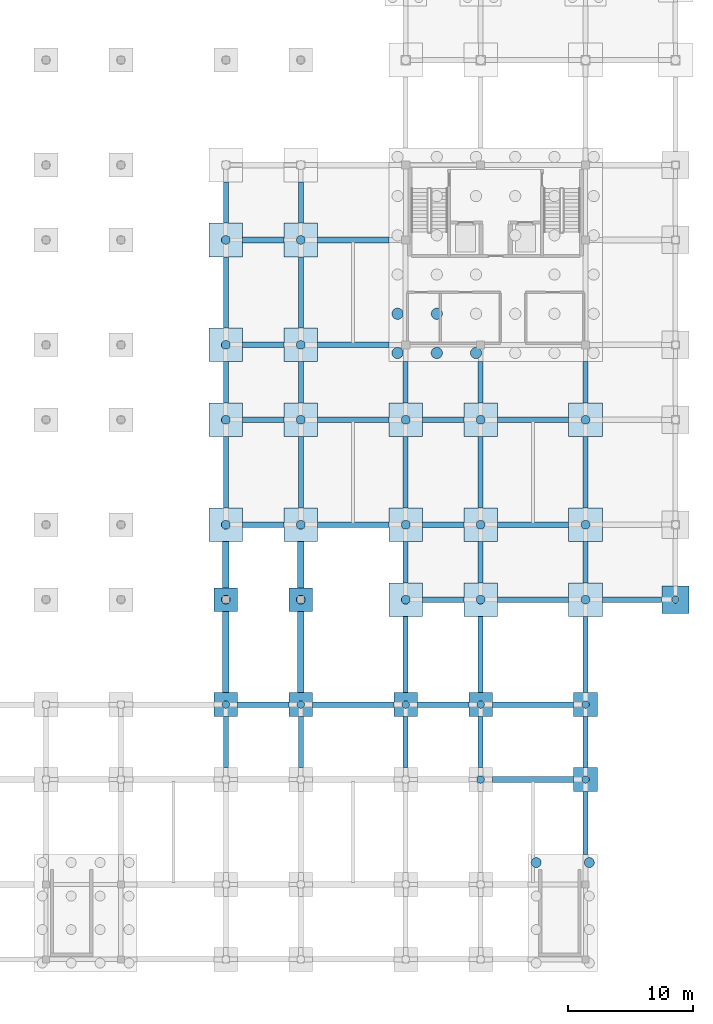
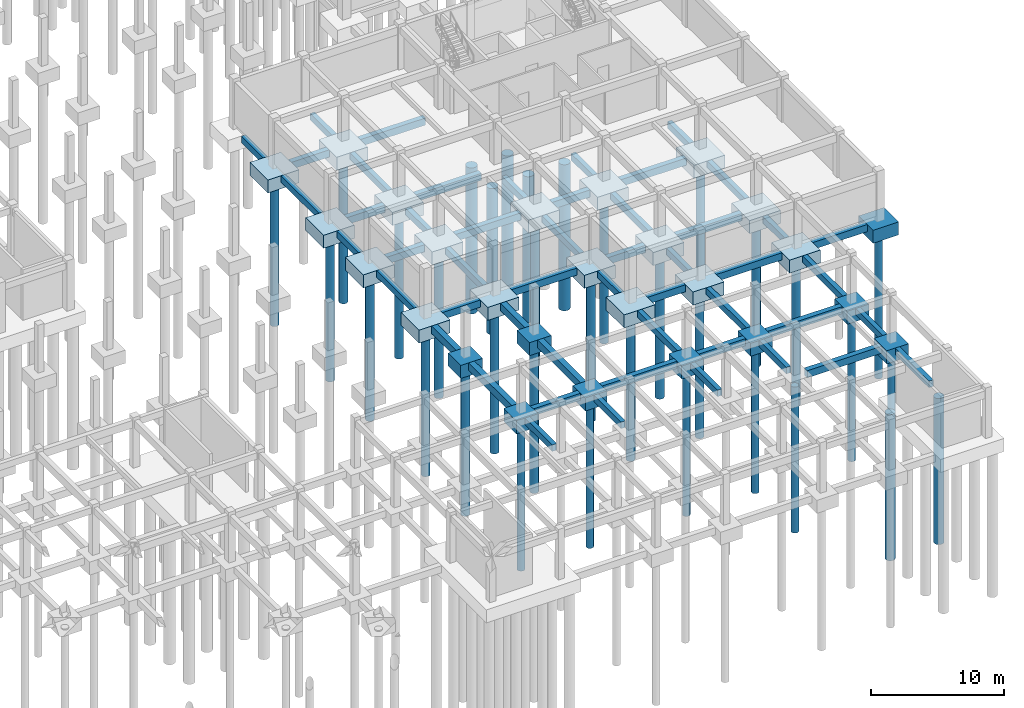
# One storey, part 11 of 40: 74 footings, 34 piles.
"""IFC4 building model written with IfcOpenShell, lengths in metres."""

from ifc_helpers import new_model, si_unit, direction, frame, origin, origin_2d, place, context, subcontext, project, spatial, rectangle, circle, extrude, material, material_profile, profile_set, type_object, element, save


model = new_model("IFC4")

# Units and contexts
model_context = context("Model", 3, precision=1e-05, world=origin(), true_north=direction((0.0, 1.0)))
body_context = subcontext(model_context, "Body", "Model", "MODEL_VIEW")
ifc_project = project(units=[si_unit("LENGTHUNIT", "METRE"), si_unit("AREAUNIT", "SQUARE_METRE"), si_unit("VOLUMEUNIT", "CUBIC_METRE"), si_unit("PLANEANGLEUNIT", "RADIAN"), si_unit("MASSUNIT", "GRAM", prefix="KILO"), si_unit("THERMODYNAMICTEMPERATUREUNIT", "KELVIN")], contexts=[model_context])

# Site, building, storey
site_placement = place(None, origin())
site = spatial("IfcSite", under=ifc_project, at=site_placement, CompositionType="ELEMENT")
building_placement = place(site_placement, origin())
building = spatial("IfcBuilding", under=site, at=building_placement, Name="Thalorik Housing Commons", CompositionType="ELEMENT")
storey_placement = place(building_placement, frame((0.0, 0.0, -4.199951171875)))
storey = spatial("IfcBuildingStorey", under=building, at=storey_placement, Name="B1", CompositionType="ELEMENT", Elevation=-4.199951171875)

# Footings
ifc_material = material(Name="Concrete C40/50", Category="concrete")
footing_type_1 = type_object("IfcFootingType", Name="STR-CAP-1900x1900", PredefinedType="PILE_CAP", material=ifc_material)
for number, where, z_axis, x_axis, name in (
    (1, (166.800048828125, 22.800048828125, -1.64990234375), (0.0, 0.0, 1.0), (1.0, 0.0, 0.0), "B1 Pile Cap 57"),
    (2, (138.0, 28.800048828125, -1.64990234375), (0.0, 0.0, 1.0), (1.0, 0.0, 0.0), "B1 Pile Cap 74"),
    (3, (144.0, 28.800048828125, -1.64990234375), (0.0, 0.0, 1.0), (1.0, 0.0, 0.0), "B1 Pile Cap 75"),
    (4, (152.39990234375, 28.800048828125, -1.64990234375), (0.0, 0.0, 1.0), (1.0, 0.0, 0.0), "B1 Pile Cap 76"),
    (5, (158.39990234375, 28.800048828125, -1.64990234375), (0.0, 0.0, 1.0), (1.0, 0.0, 0.0), "B1 Pile Cap 77"),
    (6, (166.800048828125, 28.800048828125, -1.64990234375), (0.0, 0.0, 1.0), (1.0, 0.0, 0.0), "B1 Pile Cap 78"),
    (7, (138.0, 37.199951171875, -1.64990234375), (0.0, 0.0, 1.0), (1.0, 0.0, 0.0), "B1 Plaza Pile Cap 53"),
    (8, (144.0, 37.199951171875, -1.64990234375), (0.0, 0.0, 1.0), (1.0, 0.0, 0.0), "B1 Plaza Pile Cap 58"),
):
    element("IfcFooting", number, at=place(storey_placement, frame(where, z_axis=z_axis, x_axis=x_axis)), inside=storey, type_object=footing_type_1, Name=name, PredefinedType="PILE_CAP", context=body_context, shape_type="SweptSolid", body=[
        extrude(rectangle(XDim=1.89990234375, YDim=1.89990234375, at=origin_2d()), origin(), (0.0, 0.0, 1.0), 1.199951171875),
    ])
footing_type_2 = type_object("IfcFootingType", Name="STR-CAP-2200x2200", PredefinedType="PILE_CAP", material=ifc_material)
footing_1_placement = place(storey_placement, frame((174.0, 37.199951171875, -1.64990234375), z_axis=(0.0, 0.0, 1.0), x_axis=(1.0, 0.0, 0.0)))
element("IfcFooting", 9, at=footing_1_placement, inside=storey, type_object=footing_type_2, Name="B1 Pile Cap 85", PredefinedType="PILE_CAP", context=body_context, shape_type="SweptSolid", body=[
    extrude(rectangle(XDim=2.199951171875, YDim=2.199951171875, at=origin_2d()), origin(), (0.0, 0.0, 1.0), 1.199951171875),
])
footing_type_3 = type_object("IfcFootingType", Name="STR-CAP-2700x2700", PredefinedType="PILE_CAP", material=ifc_material)
for number, where, z_axis, x_axis, name in (
    (10, (152.39990234375, 37.199951171875, -1.64990234375), (0.0, 0.0, 1.0), (1.0, 0.0, 0.0), "B1 Pile Cap 82"),
    (11, (158.39990234375, 37.199951171875, -1.64990234375), (0.0, 0.0, 1.0), (1.0, 0.0, 0.0), "B1 Pile Cap 83"),
    (12, (166.800048828125, 37.199951171875, -1.64990234375), (0.0, 0.0, 1.0), (1.0, 0.0, 0.0), "B1 Pile Cap 84"),
    (13, (138.0, 43.199951171875, -1.64990234375), (0.0, 0.0, 1.0), (1.0, 0.0, 0.0), "B1 Pile Cap 98"),
    (14, (144.0, 43.199951171875, -1.64990234375), (0.0, 0.0, 1.0), (1.0, 0.0, 0.0), "B1 Pile Cap 99"),
    (15, (152.39990234375, 43.199951171875, -1.64990234375), (0.0, 0.0, 1.0), (1.0, 0.0, 0.0), "B1 Pile Cap 100"),
    (16, (158.39990234375, 43.199951171875, -1.64990234375), (0.0, 0.0, 1.0), (1.0, 0.0, 0.0), "B1 Pile Cap 101"),
    (17, (166.800048828125, 43.199951171875, -1.64990234375), (0.0, 0.0, 1.0), (1.0, 0.0, 0.0), "B1 Pile Cap 102"),
    (18, (138.0, 51.60009765625, -1.64990234375), (0.0, 0.0, 1.0), (1.0, 0.0, 0.0), "B1 Pile Cap 113"),
    (19, (144.0, 51.60009765625, -1.64990234375), (0.0, 0.0, 1.0), (1.0, 0.0, 0.0), "B1 Pile Cap 114"),
    (20, (152.39990234375, 51.60009765625, -1.64990234375), (0.0, 0.0, 1.0), (1.0, 0.0, 0.0), "B1 Pile Cap 115"),
    (21, (158.39990234375, 51.60009765625, -1.64990234375), (0.0, 0.0, 1.0), (1.0, 0.0, 0.0), "B1 Pile Cap 116"),
    (22, (166.800048828125, 51.60009765625, -1.64990234375), (0.0, 0.0, 1.0), (1.0, 0.0, 0.0), "B1 Pile Cap 117"),
    (23, (138.0, 57.60009765625, -1.64990234375), (0.0, 0.0, 1.0), (1.0, 0.0, 0.0), "B1 Pile Cap 128"),
    (24, (144.0, 57.60009765625, -1.64990234375), (0.0, 0.0, 1.0), (1.0, 0.0, 0.0), "B1 Pile Cap 129"),
    (25, (138.0, 66.0, -1.64990234375), (0.0, 0.0, 1.0), (1.0, 0.0, 0.0), "B1 Pile Cap 145"),
    (26, (144.0, 66.0, -1.64990234375), (0.0, 0.0, 1.0), (1.0, 0.0, 0.0), "B1 Pile Cap 146"),
):
    element("IfcFooting", number, at=place(storey_placement, frame(where, z_axis=z_axis, x_axis=x_axis)), inside=storey, type_object=footing_type_3, Name=name, PredefinedType="PILE_CAP", context=body_context, shape_type="SweptSolid", body=[
        extrude(rectangle(XDim=2.699951171875, YDim=2.699951171875, at=origin_2d()), origin(), (0.0, 0.0, 1.0), 1.199951171875),
    ])
ifc_material_profile_1 = material_profile(ifc_material, rectangle(XDim=0.39990234375, YDim=0.60009765625, at=origin_2d()), Name="RC 400x600", Category="concrete")
ifc_profile_set_1 = profile_set([ifc_material_profile_1], Name="Concrete C40/50")
footing_type_4 = type_object("IfcFootingType", Name="STR-GB-400", PredefinedType="FOOTING_BEAM", material=ifc_profile_set_1)
footing_2_placement = place(storey_placement, frame((138.0, 23.75, -0.75), z_axis=(0.0, 1.0, 0.0), x_axis=(-1.0, 0.0, 0.0)))
element("IfcFooting", 27, at=footing_2_placement, inside=storey, type_object=footing_type_4, Name="B1 Ground Tie-Beam Y 449", PredefinedType="FOOTING_BEAM", context=body_context, shape_type="SweptSolid", body=[
    extrude(rectangle(XDim=0.39990234375, YDim=0.60009765625, at=origin_2d()), origin(), (0.0, 0.0, 1.0), 4.10009765625),
])
footing_3_placement = place(storey_placement, frame((138.0, 44.550048828125, -0.75), z_axis=(0.0, 1.0, 0.0), x_axis=(-1.0, 0.0, 0.0)))
element("IfcFooting", 28, at=footing_3_placement, inside=storey, type_object=footing_type_4, Name="B1 Ground Tie-Beam Y 451", PredefinedType="FOOTING_BEAM", context=body_context, shape_type="SweptSolid", body=[
    extrude(rectangle(XDim=0.39990234375, YDim=0.60009765625, at=origin_2d()), origin(), (0.0, 0.0, 1.0), 5.699951171875),
])
footing_4_placement = place(storey_placement, frame((138.0, 52.949951171875, -0.75), z_axis=(0.0, 1.0, 0.0), x_axis=(-1.0, 0.0, 0.0)))
element("IfcFooting", 29, at=footing_4_placement, inside=storey, type_object=footing_type_4, Name="B1 Ground Tie-Beam Y 452", PredefinedType="FOOTING_BEAM", context=body_context, shape_type="SweptSolid", body=[
    extrude(rectangle(XDim=0.39990234375, YDim=0.60009765625, at=origin_2d()), origin(), (0.0, 0.0, 1.0), 3.300048828125),
])
footing_5_placement = place(storey_placement, frame((138.0, 58.949951171875, -0.75), z_axis=(0.0, 1.0, 0.0), x_axis=(-1.0, 0.0, 0.0)))
element("IfcFooting", 30, at=footing_5_placement, inside=storey, type_object=footing_type_4, Name="B1 Ground Tie-Beam Y 453", PredefinedType="FOOTING_BEAM", context=body_context, shape_type="SweptSolid", body=[
    extrude(rectangle(XDim=0.39990234375, YDim=0.60009765625, at=origin_2d()), origin(), (0.0, 0.0, 1.0), 5.699951171875),
])
footing_6_placement = place(storey_placement, frame((138.0, 67.35009765625, -0.75), z_axis=(0.0, 1.0, 0.0), x_axis=(-1.0, 0.0, 0.0)))
element("IfcFooting", 31, at=footing_6_placement, inside=storey, type_object=footing_type_4, Name="B1 Ground Tie-Beam Y 454", PredefinedType="FOOTING_BEAM", context=body_context, shape_type="SweptSolid", body=[
    extrude(rectangle(XDim=0.39990234375, YDim=0.60009765625, at=origin_2d()), origin(), (0.0, 0.0, 1.0), 3.2998046875),
])
footing_7_placement = place(storey_placement, frame((144.0, 23.75, -0.75), z_axis=(0.0, 1.0, 0.0), x_axis=(-1.0, 0.0, 0.0)))
element("IfcFooting", 32, at=footing_7_placement, inside=storey, type_object=footing_type_4, Name="B1 Ground Tie-Beam Y 459", PredefinedType="FOOTING_BEAM", context=body_context, shape_type="SweptSolid", body=[
    extrude(rectangle(XDim=0.39990234375, YDim=0.60009765625, at=origin_2d()), origin(), (0.0, 0.0, 1.0), 4.10009765625),
])
footing_8_placement = place(storey_placement, frame((144.0, 44.550048828125, -0.75), z_axis=(0.0, 1.0, 0.0), x_axis=(-1.0, 0.0, 0.0)))
element("IfcFooting", 33, at=footing_8_placement, inside=storey, type_object=footing_type_4, Name="B1 Ground Tie-Beam Y 461", PredefinedType="FOOTING_BEAM", context=body_context, shape_type="SweptSolid", body=[
    extrude(rectangle(XDim=0.39990234375, YDim=0.60009765625, at=origin_2d()), origin(), (0.0, 0.0, 1.0), 5.699951171875),
])
footing_9_placement = place(storey_placement, frame((144.0, 52.949951171875, -0.75), z_axis=(0.0, 1.0, 0.0), x_axis=(-1.0, 0.0, 0.0)))
element("IfcFooting", 34, at=footing_9_placement, inside=storey, type_object=footing_type_4, Name="B1 Ground Tie-Beam Y 462", PredefinedType="FOOTING_BEAM", context=body_context, shape_type="SweptSolid", body=[
    extrude(rectangle(XDim=0.39990234375, YDim=0.60009765625, at=origin_2d()), origin(), (0.0, 0.0, 1.0), 3.300048828125),
])
footing_10_placement = place(storey_placement, frame((144.0, 58.949951171875, -0.75), z_axis=(0.0, 1.0, 0.0), x_axis=(-1.0, 0.0, 0.0)))
element("IfcFooting", 35, at=footing_10_placement, inside=storey, type_object=footing_type_4, Name="B1 Ground Tie-Beam Y 463", PredefinedType="FOOTING_BEAM", context=body_context, shape_type="SweptSolid", body=[
    extrude(rectangle(XDim=0.39990234375, YDim=0.60009765625, at=origin_2d()), origin(), (0.0, 0.0, 1.0), 5.699951171875),
])
footing_11_placement = place(storey_placement, frame((144.0, 67.35009765625, -0.75), z_axis=(0.0, 1.0, 0.0), x_axis=(-1.0, 0.0, 0.0)))
element("IfcFooting", 36, at=footing_11_placement, inside=storey, type_object=footing_type_4, Name="B1 Ground Tie-Beam Y 464", PredefinedType="FOOTING_BEAM", context=body_context, shape_type="SweptSolid", body=[
    extrude(rectangle(XDim=0.39990234375, YDim=0.60009765625, at=origin_2d()), origin(), (0.0, 0.0, 1.0), 3.2998046875),
])
footing_12_placement = place(storey_placement, frame((152.39990234375, 23.75, -0.75), z_axis=(0.0, 1.0, 0.0), x_axis=(-1.0, 0.0, 0.0)))
element("IfcFooting", 37, at=footing_12_placement, inside=storey, type_object=footing_type_4, Name="B1 Ground Tie-Beam Y 469", PredefinedType="FOOTING_BEAM", context=body_context, shape_type="SweptSolid", body=[
    extrude(rectangle(XDim=0.39990234375, YDim=0.60009765625, at=origin_2d()), origin(), (0.0, 0.0, 1.0), 4.10009765625),
])
footing_13_placement = place(storey_placement, frame((152.39990234375, 29.75, -0.75), z_axis=(0.0, 1.0, 0.0), x_axis=(-1.0, 0.0, 0.0)))
element("IfcFooting", 38, at=footing_13_placement, inside=storey, type_object=footing_type_4, Name="B1 Ground Tie-Beam Y 470", PredefinedType="FOOTING_BEAM", context=body_context, shape_type="SweptSolid", body=[
    extrude(rectangle(XDim=0.39990234375, YDim=0.60009765625, at=origin_2d()), origin(), (0.0, 0.0, 1.0), 6.10009765625),
])
footing_14_placement = place(storey_placement, frame((152.39990234375, 38.550048828125, -0.75), z_axis=(0.0, 1.0, 0.0), x_axis=(-1.0, 0.0, 0.0)))
element("IfcFooting", 39, at=footing_14_placement, inside=storey, type_object=footing_type_4, Name="B1 Ground Tie-Beam Y 471", PredefinedType="FOOTING_BEAM", context=body_context, shape_type="SweptSolid", body=[
    extrude(rectangle(XDim=0.39990234375, YDim=0.60009765625, at=origin_2d()), origin(), (0.0, 0.0, 1.0), 3.300048828125),
])
footing_15_placement = place(storey_placement, frame((152.39990234375, 44.550048828125, -0.75), z_axis=(0.0, 1.0, 0.0), x_axis=(-1.0, 0.0, 0.0)))
element("IfcFooting", 40, at=footing_15_placement, inside=storey, type_object=footing_type_4, Name="B1 Ground Tie-Beam Y 472", PredefinedType="FOOTING_BEAM", context=body_context, shape_type="SweptSolid", body=[
    extrude(rectangle(XDim=0.39990234375, YDim=0.60009765625, at=origin_2d()), origin(), (0.0, 0.0, 1.0), 5.699951171875),
])
footing_16_placement = place(storey_placement, frame((152.39990234375, 52.949951171875, -0.75), z_axis=(0.0, 1.0, 0.0), x_axis=(-1.0, 0.0, 0.0)))
element("IfcFooting", 41, at=footing_16_placement, inside=storey, type_object=footing_type_4, Name="B1 Ground Tie-Beam Y 473", PredefinedType="FOOTING_BEAM", context=body_context, shape_type="SweptSolid", body=[
    extrude(rectangle(XDim=0.39990234375, YDim=0.60009765625, at=origin_2d()), origin(), (0.0, 0.0, 1.0), 3.300048828125),
])
footing_17_placement = place(storey_placement, frame((158.39990234375, 23.75, -0.75), z_axis=(0.0, 1.0, 0.0), x_axis=(-1.0, 0.0, 0.0)))
element("IfcFooting", 42, at=footing_17_placement, inside=storey, type_object=footing_type_4, Name="B1 Ground Tie-Beam Y 481", PredefinedType="FOOTING_BEAM", context=body_context, shape_type="SweptSolid", body=[
    extrude(rectangle(XDim=0.39990234375, YDim=0.60009765625, at=origin_2d()), origin(), (0.0, 0.0, 1.0), 4.10009765625),
])
footing_18_placement = place(storey_placement, frame((158.39990234375, 29.75, -0.75), z_axis=(0.0, 1.0, 0.0), x_axis=(-1.0, 0.0, 0.0)))
element("IfcFooting", 43, at=footing_18_placement, inside=storey, type_object=footing_type_4, Name="B1 Ground Tie-Beam Y 482", PredefinedType="FOOTING_BEAM", context=body_context, shape_type="SweptSolid", body=[
    extrude(rectangle(XDim=0.39990234375, YDim=0.60009765625, at=origin_2d()), origin(), (0.0, 0.0, 1.0), 6.10009765625),
])
footing_19_placement = place(storey_placement, frame((158.39990234375, 38.550048828125, -0.75), z_axis=(0.0, 1.0, 0.0), x_axis=(-1.0, 0.0, 0.0)))
element("IfcFooting", 44, at=footing_19_placement, inside=storey, type_object=footing_type_4, Name="B1 Ground Tie-Beam Y 483", PredefinedType="FOOTING_BEAM", context=body_context, shape_type="SweptSolid", body=[
    extrude(rectangle(XDim=0.39990234375, YDim=0.60009765625, at=origin_2d()), origin(), (0.0, 0.0, 1.0), 3.300048828125),
])
footing_20_placement = place(storey_placement, frame((158.39990234375, 44.550048828125, -0.75), z_axis=(0.0, 1.0, 0.0), x_axis=(-1.0, 0.0, 0.0)))
element("IfcFooting", 45, at=footing_20_placement, inside=storey, type_object=footing_type_4, Name="B1 Ground Tie-Beam Y 484", PredefinedType="FOOTING_BEAM", context=body_context, shape_type="SweptSolid", body=[
    extrude(rectangle(XDim=0.39990234375, YDim=0.60009765625, at=origin_2d()), origin(), (0.0, 0.0, 1.0), 5.699951171875),
])
footing_21_placement = place(storey_placement, frame((158.39990234375, 52.949951171875, -0.75), z_axis=(0.0, 1.0, 0.0), x_axis=(-1.0, 0.0, 0.0)))
element("IfcFooting", 46, at=footing_21_placement, inside=storey, type_object=footing_type_4, Name="B1 Ground Tie-Beam Y 485", PredefinedType="FOOTING_BEAM", context=body_context, shape_type="SweptSolid", body=[
    extrude(rectangle(XDim=0.39990234375, YDim=0.60009765625, at=origin_2d()), origin(), (0.0, 0.0, 1.0), 3.300048828125),
])
footing_22_placement = place(storey_placement, frame((166.800048828125, 16.800048828125, -0.75), z_axis=(0.0, 1.0, 0.0), x_axis=(-1.0, 0.0, 0.0)))
element("IfcFooting", 47, at=footing_22_placement, inside=storey, type_object=footing_type_4, Name="B1 Ground Tie-Beam Y 491", PredefinedType="FOOTING_BEAM", context=body_context, shape_type="SweptSolid", body=[
    extrude(rectangle(XDim=0.39990234375, YDim=0.60009765625, at=origin_2d()), origin(), (0.0, 0.0, 1.0), 5.050048828125),
])
footing_23_placement = place(storey_placement, frame((166.800048828125, 23.75, -0.75), z_axis=(0.0, 1.0, 0.0), x_axis=(-1.0, 0.0, 0.0)))
element("IfcFooting", 48, at=footing_23_placement, inside=storey, type_object=footing_type_4, Name="B1 Ground Tie-Beam Y 492", PredefinedType="FOOTING_BEAM", context=body_context, shape_type="SweptSolid", body=[
    extrude(rectangle(XDim=0.39990234375, YDim=0.60009765625, at=origin_2d()), origin(), (0.0, 0.0, 1.0), 4.10009765625),
])
footing_24_placement = place(storey_placement, frame((166.800048828125, 29.75, -0.75), z_axis=(0.0, 1.0, 0.0), x_axis=(-1.0, 0.0, 0.0)))
element("IfcFooting", 49, at=footing_24_placement, inside=storey, type_object=footing_type_4, Name="B1 Ground Tie-Beam Y 493", PredefinedType="FOOTING_BEAM", context=body_context, shape_type="SweptSolid", body=[
    extrude(rectangle(XDim=0.39990234375, YDim=0.60009765625, at=origin_2d()), origin(), (0.0, 0.0, 1.0), 6.10009765625),
])
footing_25_placement = place(storey_placement, frame((166.800048828125, 38.550048828125, -0.75), z_axis=(0.0, 1.0, 0.0), x_axis=(-1.0, 0.0, 0.0)))
element("IfcFooting", 50, at=footing_25_placement, inside=storey, type_object=footing_type_4, Name="B1 Ground Tie-Beam Y 494", PredefinedType="FOOTING_BEAM", context=body_context, shape_type="SweptSolid", body=[
    extrude(rectangle(XDim=0.39990234375, YDim=0.60009765625, at=origin_2d()), origin(), (0.0, 0.0, 1.0), 3.300048828125),
])
footing_26_placement = place(storey_placement, frame((166.800048828125, 44.550048828125, -0.75), z_axis=(0.0, 1.0, 0.0), x_axis=(-1.0, 0.0, 0.0)))
element("IfcFooting", 51, at=footing_26_placement, inside=storey, type_object=footing_type_4, Name="B1 Ground Tie-Beam Y 495", PredefinedType="FOOTING_BEAM", context=body_context, shape_type="SweptSolid", body=[
    extrude(rectangle(XDim=0.39990234375, YDim=0.60009765625, at=origin_2d()), origin(), (0.0, 0.0, 1.0), 5.699951171875),
])
footing_27_placement = place(storey_placement, frame((166.800048828125, 52.949951171875, -0.75), z_axis=(0.0, 1.0, 0.0), x_axis=(-1.0, 0.0, 0.0)))
element("IfcFooting", 52, at=footing_27_placement, inside=storey, type_object=footing_type_4, Name="B1 Ground Tie-Beam Y 496", PredefinedType="FOOTING_BEAM", context=body_context, shape_type="SweptSolid", body=[
    extrude(rectangle(XDim=0.39990234375, YDim=0.60009765625, at=origin_2d()), origin(), (0.0, 0.0, 1.0), 3.300048828125),
])
ifc_material_profile_2 = material_profile(ifc_material, rectangle(XDim=0.449951171875, YDim=0.64990234375, at=origin_2d()), Name="RC 450x650", Category="concrete")
ifc_profile_set_2 = profile_set([ifc_material_profile_2], Name="Concrete C40/50")
footing_type_5 = type_object("IfcFootingType", Name="STR-GB-500", PredefinedType="FOOTING_BEAM", material=ifc_profile_set_2)
footing_28_placement = place(storey_placement, frame((159.35009765625, 22.800048828125, -0.775146484375), z_axis=(1.0, 0.0, 0.0), x_axis=(0.0, 1.0, 0.0)))
element("IfcFooting", 53, at=footing_28_placement, inside=storey, type_object=footing_type_5, Name="B1 Ground Tie-Beam X 50", PredefinedType="FOOTING_BEAM", context=body_context, shape_type="SweptSolid", body=[
    extrude(rectangle(XDim=0.449951171875, YDim=0.64990234375, at=origin_2d()), origin(), (0.0, 0.0, 1.0), 6.5),
])
footing_29_placement = place(storey_placement, frame((138.949951171875, 28.800048828125, -0.775146484375), z_axis=(1.0, 0.0, 0.0), x_axis=(0.0, 1.0, 0.0)))
element("IfcFooting", 54, at=footing_29_placement, inside=storey, type_object=footing_type_5, Name="B1 Ground Tie-Beam X 67", PredefinedType="FOOTING_BEAM", context=body_context, shape_type="SweptSolid", body=[
    extrude(rectangle(XDim=0.449951171875, YDim=0.64990234375, at=origin_2d()), origin(), (0.0, 0.0, 1.0), 4.10009765625),
])
footing_30_placement = place(storey_placement, frame((144.949951171875, 28.800048828125, -0.775146484375), z_axis=(1.0, 0.0, 0.0), x_axis=(0.0, 1.0, 0.0)))
element("IfcFooting", 55, at=footing_30_placement, inside=storey, type_object=footing_type_5, Name="B1 Ground Tie-Beam X 68", PredefinedType="FOOTING_BEAM", context=body_context, shape_type="SweptSolid", body=[
    extrude(rectangle(XDim=0.449951171875, YDim=0.64990234375, at=origin_2d()), origin(), (0.0, 0.0, 1.0), 6.5),
])
footing_31_placement = place(storey_placement, frame((153.35009765625, 28.800048828125, -0.775146484375), z_axis=(1.0, 0.0, 0.0), x_axis=(0.0, 1.0, 0.0)))
element("IfcFooting", 56, at=footing_31_placement, inside=storey, type_object=footing_type_5, Name="B1 Ground Tie-Beam X 69", PredefinedType="FOOTING_BEAM", context=body_context, shape_type="SweptSolid", body=[
    extrude(rectangle(XDim=0.449951171875, YDim=0.64990234375, at=origin_2d()), origin(), (0.0, 0.0, 1.0), 4.099853515625),
])
footing_32_placement = place(storey_placement, frame((159.35009765625, 28.800048828125, -0.775146484375), z_axis=(1.0, 0.0, 0.0), x_axis=(0.0, 1.0, 0.0)))
element("IfcFooting", 57, at=footing_32_placement, inside=storey, type_object=footing_type_5, Name="B1 Ground Tie-Beam X 70", PredefinedType="FOOTING_BEAM", context=body_context, shape_type="SweptSolid", body=[
    extrude(rectangle(XDim=0.449951171875, YDim=0.64990234375, at=origin_2d()), origin(), (0.0, 0.0, 1.0), 6.5),
])
footing_33_placement = place(storey_placement, frame((153.75, 37.199951171875, -0.775146484375), z_axis=(1.0, 0.0, 0.0), x_axis=(0.0, 1.0, 0.0)))
element("IfcFooting", 58, at=footing_33_placement, inside=storey, type_object=footing_type_5, Name="B1 Ground Tie-Beam X 84", PredefinedType="FOOTING_BEAM", context=body_context, shape_type="SweptSolid", body=[
    extrude(rectangle(XDim=0.449951171875, YDim=0.64990234375, at=origin_2d()), origin(), (0.0, 0.0, 1.0), 3.300048828125),
])
footing_34_placement = place(storey_placement, frame((159.75, 37.199951171875, -0.775146484375), z_axis=(1.0, 0.0, 0.0), x_axis=(0.0, 1.0, 0.0)))
element("IfcFooting", 59, at=footing_34_placement, inside=storey, type_object=footing_type_5, Name="B1 Ground Tie-Beam X 85", PredefinedType="FOOTING_BEAM", context=body_context, shape_type="SweptSolid", body=[
    extrude(rectangle(XDim=0.449951171875, YDim=0.64990234375, at=origin_2d()), origin(), (0.0, 0.0, 1.0), 5.699951171875),
])
footing_35_placement = place(storey_placement, frame((168.14990234375, 37.199951171875, -0.775146484375), z_axis=(1.0, 0.0, 0.0), x_axis=(0.0, 1.0, 0.0)))
element("IfcFooting", 60, at=footing_35_placement, inside=storey, type_object=footing_type_5, Name="B1 Ground Tie-Beam X 86", PredefinedType="FOOTING_BEAM", context=body_context, shape_type="SweptSolid", body=[
    extrude(rectangle(XDim=0.449951171875, YDim=0.64990234375, at=origin_2d()), origin(), (0.0, 0.0, 1.0), 4.75),
])
footing_36_placement = place(storey_placement, frame((139.35009765625, 43.199951171875, -0.775146484375), z_axis=(1.0, 0.0, 0.0), x_axis=(0.0, 1.0, 0.0)))
element("IfcFooting", 61, at=footing_36_placement, inside=storey, type_object=footing_type_5, Name="B1 Ground Tie-Beam X 95", PredefinedType="FOOTING_BEAM", context=body_context, shape_type="SweptSolid", body=[
    extrude(rectangle(XDim=0.449951171875, YDim=0.64990234375, at=origin_2d()), origin(), (0.0, 0.0, 1.0), 3.2998046875),
])
footing_37_placement = place(storey_placement, frame((145.35009765625, 43.199951171875, -0.775146484375), z_axis=(1.0, 0.0, 0.0), x_axis=(0.0, 1.0, 0.0)))
element("IfcFooting", 62, at=footing_37_placement, inside=storey, type_object=footing_type_5, Name="B1 Ground Tie-Beam X 96", PredefinedType="FOOTING_BEAM", context=body_context, shape_type="SweptSolid", body=[
    extrude(rectangle(XDim=0.449951171875, YDim=0.64990234375, at=origin_2d()), origin(), (0.0, 0.0, 1.0), 5.699951171875),
])
footing_38_placement = place(storey_placement, frame((153.75, 43.199951171875, -0.775146484375), z_axis=(1.0, 0.0, 0.0), x_axis=(0.0, 1.0, 0.0)))
element("IfcFooting", 63, at=footing_38_placement, inside=storey, type_object=footing_type_5, Name="B1 Ground Tie-Beam X 97", PredefinedType="FOOTING_BEAM", context=body_context, shape_type="SweptSolid", body=[
    extrude(rectangle(XDim=0.449951171875, YDim=0.64990234375, at=origin_2d()), origin(), (0.0, 0.0, 1.0), 3.300048828125),
])
footing_39_placement = place(storey_placement, frame((159.75, 43.199951171875, -0.775146484375), z_axis=(1.0, 0.0, 0.0), x_axis=(0.0, 1.0, 0.0)))
element("IfcFooting", 64, at=footing_39_placement, inside=storey, type_object=footing_type_5, Name="B1 Ground Tie-Beam X 98", PredefinedType="FOOTING_BEAM", context=body_context, shape_type="SweptSolid", body=[
    extrude(rectangle(XDim=0.449951171875, YDim=0.64990234375, at=origin_2d()), origin(), (0.0, 0.0, 1.0), 5.699951171875),
])
footing_40_placement = place(storey_placement, frame((139.35009765625, 51.60009765625, -0.775146484375), z_axis=(1.0, 0.0, 0.0), x_axis=(0.0, 1.0, 0.0)))
element("IfcFooting", 65, at=footing_40_placement, inside=storey, type_object=footing_type_5, Name="B1 Ground Tie-Beam X 108", PredefinedType="FOOTING_BEAM", context=body_context, shape_type="SweptSolid", body=[
    extrude(rectangle(XDim=0.449951171875, YDim=0.64990234375, at=origin_2d()), origin(), (0.0, 0.0, 1.0), 3.2998046875),
])
footing_41_placement = place(storey_placement, frame((145.35009765625, 51.60009765625, -0.775146484375), z_axis=(1.0, 0.0, 0.0), x_axis=(0.0, 1.0, 0.0)))
element("IfcFooting", 66, at=footing_41_placement, inside=storey, type_object=footing_type_5, Name="B1 Ground Tie-Beam X 109", PredefinedType="FOOTING_BEAM", context=body_context, shape_type="SweptSolid", body=[
    extrude(rectangle(XDim=0.449951171875, YDim=0.64990234375, at=origin_2d()), origin(), (0.0, 0.0, 1.0), 5.699951171875),
])
footing_42_placement = place(storey_placement, frame((153.75, 51.60009765625, -0.775146484375), z_axis=(1.0, 0.0, 0.0), x_axis=(0.0, 1.0, 0.0)))
element("IfcFooting", 67, at=footing_42_placement, inside=storey, type_object=footing_type_5, Name="B1 Ground Tie-Beam X 110", PredefinedType="FOOTING_BEAM", context=body_context, shape_type="SweptSolid", body=[
    extrude(rectangle(XDim=0.449951171875, YDim=0.64990234375, at=origin_2d()), origin(), (0.0, 0.0, 1.0), 3.300048828125),
])
footing_43_placement = place(storey_placement, frame((159.75, 51.60009765625, -0.775146484375), z_axis=(1.0, 0.0, 0.0), x_axis=(0.0, 1.0, 0.0)))
element("IfcFooting", 68, at=footing_43_placement, inside=storey, type_object=footing_type_5, Name="B1 Ground Tie-Beam X 111", PredefinedType="FOOTING_BEAM", context=body_context, shape_type="SweptSolid", body=[
    extrude(rectangle(XDim=0.449951171875, YDim=0.64990234375, at=origin_2d()), origin(), (0.0, 0.0, 1.0), 5.699951171875),
])
footing_44_placement = place(storey_placement, frame((139.35009765625, 57.60009765625, -0.775146484375), z_axis=(1.0, 0.0, 0.0), x_axis=(0.0, 1.0, 0.0)))
element("IfcFooting", 69, at=footing_44_placement, inside=storey, type_object=footing_type_5, Name="B1 Ground Tie-Beam X 124", PredefinedType="FOOTING_BEAM", context=body_context, shape_type="SweptSolid", body=[
    extrude(rectangle(XDim=0.449951171875, YDim=0.64990234375, at=origin_2d()), origin(), (0.0, 0.0, 1.0), 3.2998046875),
])
footing_45_placement = place(storey_placement, frame((145.35009765625, 57.60009765625, -0.775146484375), z_axis=(1.0, 0.0, 0.0), x_axis=(0.0, 1.0, 0.0)))
element("IfcFooting", 70, at=footing_45_placement, inside=storey, type_object=footing_type_5, Name="B1 Ground Tie-Beam X 125", PredefinedType="FOOTING_BEAM", context=body_context, shape_type="SweptSolid", body=[
    extrude(rectangle(XDim=0.449951171875, YDim=0.64990234375, at=origin_2d()), origin(), (0.0, 0.0, 1.0), 5.699951171875),
])
footing_46_placement = place(storey_placement, frame((139.35009765625, 66.0, -0.775146484375), z_axis=(1.0, 0.0, 0.0), x_axis=(0.0, 1.0, 0.0)))
element("IfcFooting", 71, at=footing_46_placement, inside=storey, type_object=footing_type_5, Name="B1 Ground Tie-Beam X 140", PredefinedType="FOOTING_BEAM", context=body_context, shape_type="SweptSolid", body=[
    extrude(rectangle(XDim=0.449951171875, YDim=0.64990234375, at=origin_2d()), origin(), (0.0, 0.0, 1.0), 3.2998046875),
])
footing_47_placement = place(storey_placement, frame((145.35009765625, 66.0, -0.775146484375), z_axis=(1.0, 0.0, 0.0), x_axis=(0.0, 1.0, 0.0)))
element("IfcFooting", 72, at=footing_47_placement, inside=storey, type_object=footing_type_5, Name="B1 Ground Tie-Beam X 141", PredefinedType="FOOTING_BEAM", context=body_context, shape_type="SweptSolid", body=[
    extrude(rectangle(XDim=0.449951171875, YDim=0.64990234375, at=origin_2d()), origin(), (0.0, 0.0, 1.0), 5.699951171875),
])
ifc_material_profile_3 = material_profile(ifc_material, rectangle(XDim=0.5, YDim=0.699951171875, at=origin_2d()), Name="RC 500x700", Category="concrete")
ifc_profile_set_3 = profile_set([ifc_material_profile_3], Name="Concrete C40/50")
footing_type_6 = type_object("IfcFootingType", Name="STR-GB-600", PredefinedType="FOOTING_BEAM", material=ifc_profile_set_3)
for number, where, z_axis, x_axis, name in (
    (73, (138.0, 29.75, -0.800048828125), (0.0, 1.0, 0.0), (-1.0, 0.0, 0.0), "B1 Ground Tie-Beam Y 450"),
    (74, (144.0, 29.75, -0.800048828125), (0.0, 1.0, 0.0), (-1.0, 0.0, 0.0), "B1 Ground Tie-Beam Y 460"),
):
    element("IfcFooting", number, at=place(storey_placement, frame(where, z_axis=z_axis, x_axis=x_axis)), inside=storey, type_object=footing_type_6, Name=name, PredefinedType="FOOTING_BEAM", context=body_context, shape_type="SweptSolid", body=[
        extrude(rectangle(XDim=0.5, YDim=0.699951171875, at=origin_2d()), origin(), (0.0, 0.0, 1.0), 12.10009765625),
    ])

# Piles
ifc_material_profile_4 = material_profile(ifc_material, circle(Radius=0.300048828125, at=origin_2d()), Name="BORED PILE D600", Category="concrete")
ifc_profile_set_4 = profile_set([ifc_material_profile_4], Name="Concrete C40/50")
pile_type_1 = type_object("IfcPileType", Name="STR-PILE-D600", PredefinedType="BORED", material=ifc_profile_set_4)
for number, where, z_axis, x_axis, name in (
    (75, (158.39990234375, 22.800048828125, -1.550048828125), (0.0, 0.0, -1.0), (1.0, 0.0, 0.0), "B1 Bored Pile 150"),
    (76, (166.800048828125, 22.800048828125, -1.550048828125), (0.0, 0.0, -1.0), (1.0, 0.0, 0.0), "B1 Bored Pile 151"),
    (77, (138.0, 28.800048828125, -1.550048828125), (0.0, 0.0, -1.0), (1.0, 0.0, 0.0), "B1 Bored Pile 199"),
    (78, (144.0, 28.800048828125, -1.550048828125), (0.0, 0.0, -1.0), (1.0, 0.0, 0.0), "B1 Bored Pile 200"),
    (79, (152.39990234375, 28.800048828125, -1.550048828125), (0.0, 0.0, -1.0), (1.0, 0.0, 0.0), "B1 Bored Pile 201"),
    (80, (158.39990234375, 28.800048828125, -1.550048828125), (0.0, 0.0, -1.0), (1.0, 0.0, 0.0), "B1 Bored Pile 202"),
    (81, (166.800048828125, 28.800048828125, -1.550048828125), (0.0, 0.0, -1.0), (1.0, 0.0, 0.0), "B1 Bored Pile 203"),
    (82, (174.0, 37.199951171875, -1.550048828125), (0.0, 0.0, -1.0), (1.0, 0.0, 0.0), "B1 Bored Pile 219"),
):
    element("IfcPile", number, at=place(storey_placement, frame(where, z_axis=z_axis, x_axis=x_axis)), inside=storey, type_object=pile_type_1, Name=name, PredefinedType="BORED", context=body_context, shape_type="SweptSolid", body=[
        extrude(circle(Radius=0.300048828125, at=origin_2d()), origin(), (0.0, 0.0, 1.0), 13.449951171875),
    ])
ifc_material_profile_5 = material_profile(ifc_material, circle(Radius=0.35009765625, at=origin_2d()), Name="BORED PILE D700", Category="concrete")
ifc_profile_set_5 = profile_set([ifc_material_profile_5], Name="Concrete C40/50")
pile_type_2 = type_object("IfcPileType", Name="STR-PILE-D700", PredefinedType="BORED", material=ifc_profile_set_5)
for number, where, z_axis, x_axis, name in (
    (83, (152.39990234375, 37.199951171875, -1.550048828125), (0.0, 0.0, -1.0), (1.0, 0.0, 0.0), "B1 Bored Pile 216"),
    (84, (158.39990234375, 37.199951171875, -1.550048828125), (0.0, 0.0, -1.0), (1.0, 0.0, 0.0), "B1 Bored Pile 217"),
    (85, (166.800048828125, 37.199951171875, -1.550048828125), (0.0, 0.0, -1.0), (1.0, 0.0, 0.0), "B1 Bored Pile 218"),
    (86, (138.0, 43.199951171875, -1.550048828125), (0.0, 0.0, -1.0), (1.0, 0.0, 0.0), "B1 Bored Pile 241"),
    (87, (144.0, 43.199951171875, -1.550048828125), (0.0, 0.0, -1.0), (1.0, 0.0, 0.0), "B1 Bored Pile 242"),
    (88, (152.39990234375, 43.199951171875, -1.550048828125), (0.0, 0.0, -1.0), (1.0, 0.0, 0.0), "B1 Bored Pile 243"),
    (89, (158.39990234375, 43.199951171875, -1.550048828125), (0.0, 0.0, -1.0), (1.0, 0.0, 0.0), "B1 Bored Pile 244"),
    (90, (166.800048828125, 43.199951171875, -1.550048828125), (0.0, 0.0, -1.0), (1.0, 0.0, 0.0), "B1 Bored Pile 245"),
    (91, (138.0, 51.60009765625, -1.550048828125), (0.0, 0.0, -1.0), (1.0, 0.0, 0.0), "B1 Bored Pile 256"),
    (92, (144.0, 51.60009765625, -1.550048828125), (0.0, 0.0, -1.0), (1.0, 0.0, 0.0), "B1 Bored Pile 257"),
    (93, (152.39990234375, 51.60009765625, -1.550048828125), (0.0, 0.0, -1.0), (1.0, 0.0, 0.0), "B1 Bored Pile 258"),
    (94, (158.39990234375, 51.60009765625, -1.550048828125), (0.0, 0.0, -1.0), (1.0, 0.0, 0.0), "B1 Bored Pile 259"),
    (95, (166.800048828125, 51.60009765625, -1.550048828125), (0.0, 0.0, -1.0), (1.0, 0.0, 0.0), "B1 Bored Pile 260"),
    (96, (138.0, 57.60009765625, -1.550048828125), (0.0, 0.0, -1.0), (1.0, 0.0, 0.0), "B1 Bored Pile 271"),
    (97, (144.0, 57.60009765625, -1.550048828125), (0.0, 0.0, -1.0), (1.0, 0.0, 0.0), "B1 Bored Pile 272"),
    (98, (138.0, 66.0, -1.550048828125), (0.0, 0.0, -1.0), (1.0, 0.0, 0.0), "B1 Bored Pile 381"),
    (99, (144.0, 66.0, -1.550048828125), (0.0, 0.0, -1.0), (1.0, 0.0, 0.0), "B1 Bored Pile 382"),
    (100, (138.0, 37.199951171875, -1.550048828125), (0.0, 0.0, -1.0), (1.0, 0.0, 0.0), "B1 Plaza Bored Pile 53"),
    (101, (144.0, 37.199951171875, -1.550048828125), (0.0, 0.0, -1.0), (1.0, 0.0, 0.0), "B1 Plaza Bored Pile 58"),
):
    element("IfcPile", number, at=place(storey_placement, frame(where, z_axis=z_axis, x_axis=x_axis)), inside=storey, type_object=pile_type_2, Name=name, PredefinedType="BORED", context=body_context, shape_type="SweptSolid", body=[
        extrude(circle(Radius=0.35009765625, at=origin_2d()), origin(), (0.0, 0.0, 1.0), 13.449951171875),
    ])
ifc_material_profile_6 = material_profile(ifc_material, circle(Radius=0.39990234375, at=origin_2d()), Name="BORED PILE D800", Category="concrete")
ifc_profile_set_6 = profile_set([ifc_material_profile_6], Name="Concrete C40/50")
pile_type_3 = type_object("IfcPileType", Name="STR-PILE-D800", PredefinedType="BORED", material=ifc_profile_set_6)
for number, where, z_axis, x_axis, name in (
    (102, (162.85009765625, 16.14990234375, -1.550048828125), (0.0, 0.0, -1.0), (1.0, 0.0, 0.0), "B1 Bored Pile 85"),
    (103, (167.10009765625, 16.14990234375, -1.550048828125), (0.0, 0.0, -1.0), (1.0, 0.0, 0.0), "B1 Bored Pile 89"),
):
    element("IfcPile", number, at=place(storey_placement, frame(where, z_axis=z_axis, x_axis=x_axis)), inside=storey, type_object=pile_type_3, Name=name, PredefinedType="BORED", context=body_context, shape_type="SweptSolid", body=[
        extrude(circle(Radius=0.39990234375, at=origin_2d()), origin(), (0.0, 0.0, 1.0), 13.449951171875),
    ])
ifc_material_profile_7 = material_profile(ifc_material, circle(Radius=0.449951171875, at=origin_2d()), Name="BORED PILE D900", Category="concrete")
ifc_profile_set_7 = profile_set([ifc_material_profile_7], Name="Concrete C40/50")
pile_type_4 = type_object("IfcPileType", Name="STR-PILE-D900", PredefinedType="BORED", material=ifc_profile_set_7)
for number, where, z_axis, x_axis, name in (
    (104, (151.75, 56.949951171875, -1.550048828125), (0.0, 0.0, -1.0), (1.0, 0.0, 0.0), "B1 Bored Pile 273"),
    (105, (151.75, 60.090087890625, -1.550048828125), (0.0, 0.0, -1.0), (1.0, 0.0, 0.0), "B1 Bored Pile 274"),
    (106, (154.889892578125, 56.949951171875, -1.550048828125), (0.0, 0.0, -1.0), (1.0, 0.0, 0.0), "B1 Bored Pile 279"),
    (107, (154.889892578125, 60.090087890625, -1.550048828125), (0.0, 0.0, -1.0), (1.0, 0.0, 0.0), "B1 Bored Pile 280"),
    (108, (158.030029296875, 56.949951171875, -1.550048828125), (0.0, 0.0, -1.0), (1.0, 0.0, 0.0), "B1 Bored Pile 285"),
):
    element("IfcPile", number, at=place(storey_placement, frame(where, z_axis=z_axis, x_axis=x_axis)), inside=storey, type_object=pile_type_4, Name=name, PredefinedType="BORED", context=body_context, shape_type="SweptSolid", body=[
        extrude(circle(Radius=0.449951171875, at=origin_2d()), origin(), (0.0, 0.0, 1.0), 13.449951171875),
    ])

save(model, "model.ifc")
